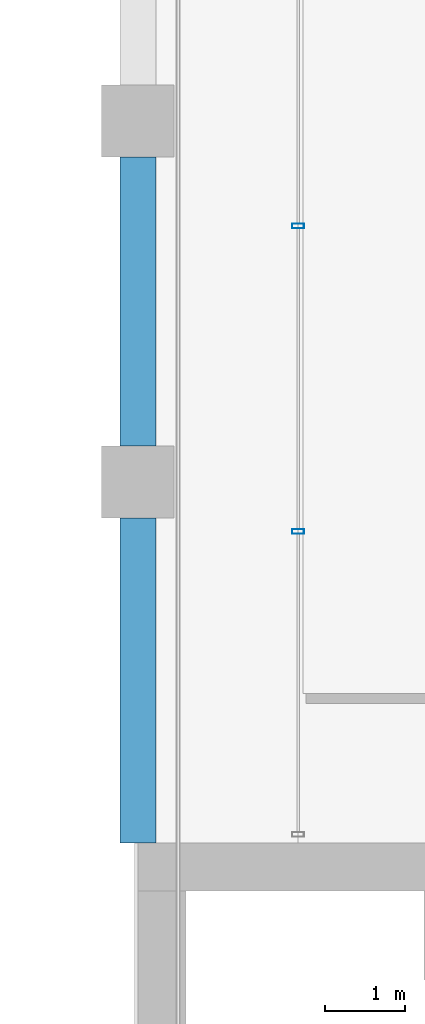
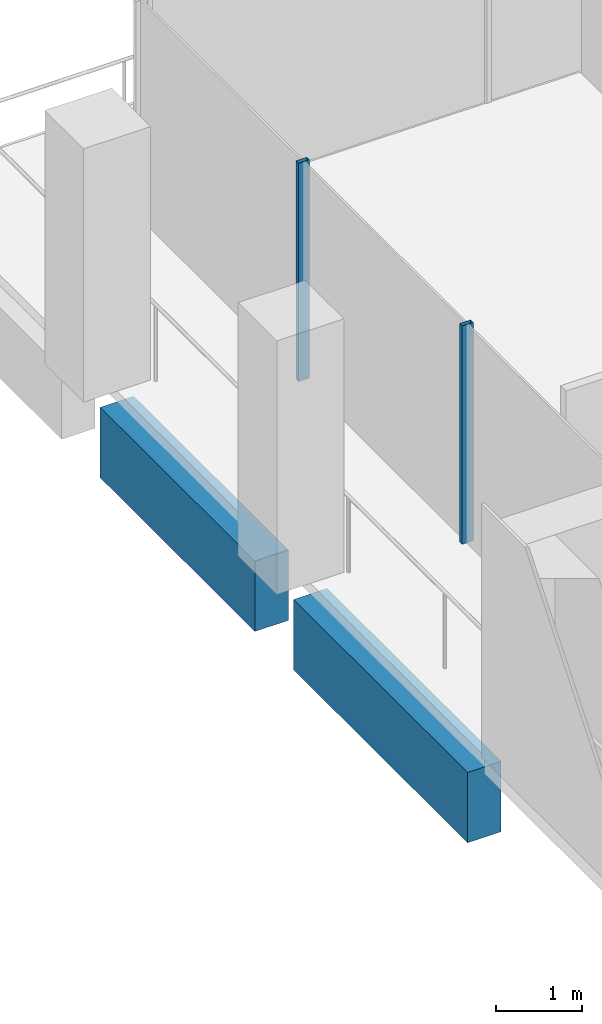
# One storey, part 20 of 40: 2 beams, 2 members, 1 element without a shape of its own.
"""IFC4 building model written with IfcOpenShell, lengths in metres."""

from ifc_helpers import new_model, si_unit, direction, frame, origin, origin_2d, place, context, subcontext, project, spatial, rectangle, hollow_rectangle, extrude, material, material_profile, profile_set, type_object, element, aggregate, save


model = new_model("IFC4")

# Units and contexts
model_context = context("Model", 3, precision=1e-05, world=origin(), true_north=direction((0.0, 1.0)))
body_context = subcontext(model_context, "Body", "Model", "MODEL_VIEW")
ifc_project = project(units=[si_unit("LENGTHUNIT", "METRE"), si_unit("AREAUNIT", "SQUARE_METRE"), si_unit("VOLUMEUNIT", "CUBIC_METRE"), si_unit("PLANEANGLEUNIT", "RADIAN"), si_unit("MASSUNIT", "GRAM", prefix="KILO")], contexts=[model_context])

# Site, building, storey
site_placement = place(None, origin())
site = spatial("IfcSite", under=ifc_project, at=site_placement, CompositionType="ELEMENT")
building_placement = place(site_placement, origin())
building = spatial("IfcBuilding", under=site, at=building_placement, Name="Altepetl Exchange Towers", CompositionType="ELEMENT")
storey_placement = place(building_placement, frame((0.0, 0.0, 187.0)))
storey = spatial("IfcBuildingStorey", under=building, at=storey_placement, Name="L47", CompositionType="ELEMENT", Elevation=187.0)

# Curtain wall, members
ifc_material_1 = material(Name="Aluminium 6063-T6 glazing", Category="aluminium")
curtain_wall_type = type_object("IfcCurtainWallType", Name="Loggia glazing system", PredefinedType="NOTDEFINED", material=ifc_material_1)
curtain_wall_placement = place(storey_placement, origin())
curtain_wall = element("IfcCurtainWall", 1, at=curtain_wall_placement, inside=storey, type_object=curtain_wall_type, Name="CW1 run", PredefinedType="NOTDEFINED")
ifc_material_2 = material(Name="Aluminium 6063-T6", Category="aluminium")
ifc_material_profile_1 = material_profile(ifc_material_2, hollow_rectangle(XDim=0.06005859375, YDim=0.14990234375, WallThickness=0.0029296875, at=origin_2d()), Name="Mullion 60x150 aluminium")
ifc_profile_set_1 = profile_set([ifc_material_profile_1], Name="Aluminium 6063-T6")
member_type = type_object("IfcMemberType", Name="Mullion 60x150 aluminium", PredefinedType="MULLION", material=ifc_profile_set_1)
member_1_placement = place(storey_placement, frame((42.5, 66.191650390625, 0.0), z_axis=(0.0, 0.0, 1.0), x_axis=(0.0, -1.0, 0.0)))
member_1 = element("IfcMember", 2, at=member_1_placement, type_object=member_type, Name="MU1 mullion", PredefinedType="MULLION", context=body_context, shape_type="SweptSolid", body=[
    extrude(hollow_rectangle(XDim=0.06005859375, YDim=0.14990234375, WallThickness=0.0029296875, at=origin_2d()), origin(), (0.0, 0.0, 1.0), 3.10009765625),
])
member_2_placement = place(storey_placement, frame((42.5, 62.38330078125, 0.0), z_axis=(0.0, 0.0, 1.0), x_axis=(0.0, -1.0, 0.0)))
member_2 = element("IfcMember", 3, at=member_2_placement, type_object=member_type, Name="MU1 mullion", PredefinedType="MULLION", context=body_context, shape_type="SweptSolid", body=[
    extrude(hollow_rectangle(XDim=0.06005859375, YDim=0.14990234375, WallThickness=0.0029296875, at=origin_2d()), origin(), (0.0, 0.0, 1.0), 3.10009765625),
])
aggregate(curtain_wall, [member_1, member_2])

# Beams
ifc_material_3 = material(Name="Concrete C50/60 precast with tezontle facing", Category="concrete")
ifc_material_profile_2 = material_profile(ifc_material_3, rectangle(XDim=0.449951171875, YDim=1.0, at=origin_2d()), Name="450 x 1000")
ifc_profile_set_2 = profile_set([ifc_material_profile_2], Name="Concrete C50/60 precast with tezontle facing")
beam_type = type_object("IfcBeamType", Name="Spandrel beam 450x1000 tezontle", PredefinedType="SPANDREL", material=ifc_profile_set_2)
beam_1_placement = place(storey_placement, frame((40.5, 67.050048828125, -0.64990234375), z_axis=(0.0, -1.0, 0.0), x_axis=(1.0, 0.0, 0.0)))
element("IfcBeam", 4, at=beam_1_placement, inside=storey, type_object=beam_type, Name="sp:A:L47:031", PredefinedType="SPANDREL", context=body_context, shape_type="SweptSolid", body=[
    extrude(rectangle(XDim=0.449951171875, YDim=1.0, at=origin_2d()), origin(), (0.0, 0.0, 1.0), 3.60009765625),
])
beam_2_placement = place(storey_placement, frame((40.5, 62.550048828125, -0.64990234375), z_axis=(0.0, -1.0, 0.0), x_axis=(1.0, 0.0, 0.0)))
element("IfcBeam", 5, at=beam_2_placement, inside=storey, type_object=beam_type, Name="sp:A:L47:032", PredefinedType="SPANDREL", context=body_context, shape_type="SweptSolid", body=[
    extrude(rectangle(XDim=0.449951171875, YDim=1.0, at=origin_2d()), origin(), (0.0, 0.0, 1.0), 4.050048828125),
])

save(model, "model.ifc")
